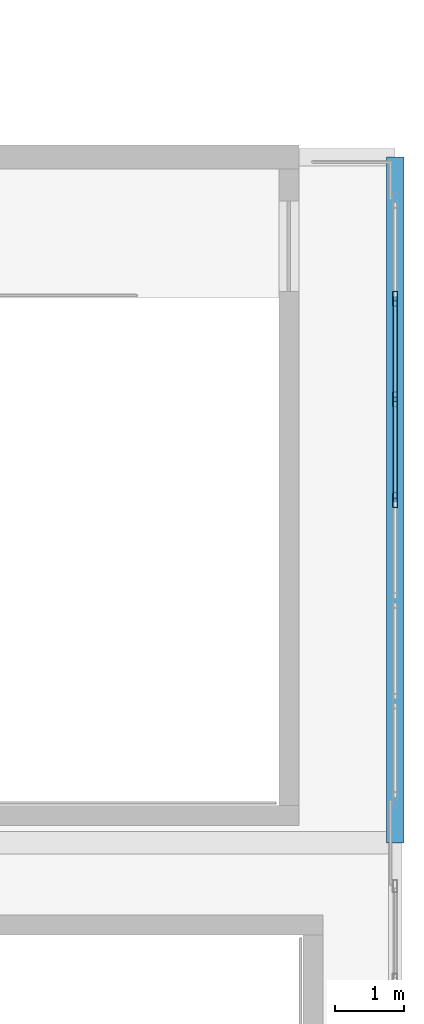
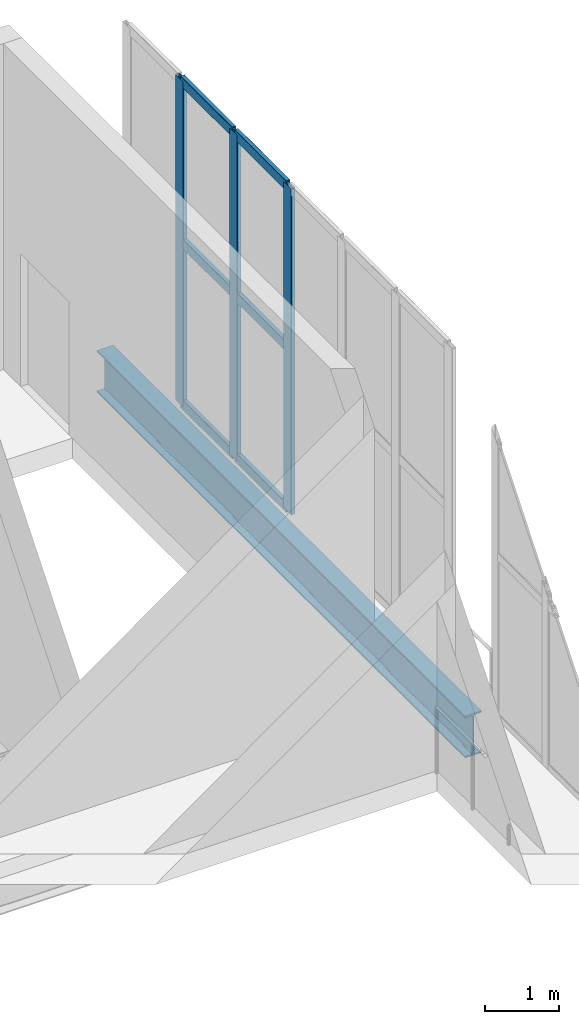
# One storey, part 41 of 74: 9 members, 1 beam, 1 element without a shape of its own.
"""IFC4 building model written with IfcOpenShell, lengths in metres."""

from ifc_helpers import new_model, si_unit, direction, frame, origin, origin_2d, place, context, subcontext, project, spatial, hollow_rectangle, i_section, extrude, material, layer, layer_set, material_profile, profile_set, type_object, element, aggregate, save


model = new_model("IFC4")

# Units and contexts
model_context = context("Model", 3, precision=1e-05, world=origin(), true_north=direction((0.0, 1.0)))
body_context = subcontext(model_context, "Body", "Model", "MODEL_VIEW")
ifc_project = project(units=[si_unit("LENGTHUNIT", "METRE"), si_unit("AREAUNIT", "SQUARE_METRE"), si_unit("VOLUMEUNIT", "CUBIC_METRE"), si_unit("PLANEANGLEUNIT", "RADIAN"), si_unit("MASSUNIT", "GRAM", prefix="KILO")], contexts=[model_context])

# Site, building, storey
site_placement = place(None, origin())
site = spatial("IfcSite", under=ifc_project, at=site_placement, CompositionType="ELEMENT")
building_placement = place(site_placement, origin())
building = spatial("IfcBuilding", under=site, at=building_placement, Name="Brinegate Civic Arena", CompositionType="ELEMENT")
storey_placement = place(building_placement, frame((0.0, 0.0, 19.199951171875)))
storey = spatial("IfcBuildingStorey", under=building, at=storey_placement, Name="L04", CompositionType="ELEMENT", Elevation=19.199951171875)

# Curtain wall, members
ifc_material_1 = material(Name="Marine grade aluminium", Category="aluminium")
ifc_layer = layer(ifc_material_1, 0.199951171875, Name="Marine grade aluminium")
ifc_layer_set = layer_set([ifc_layer], Name="Marine grade aluminium")
curtain_wall_type = type_object("IfcCurtainWallType", Name="CW-BOWL-GLAZED-01", PredefinedType="USERDEFINED", material=ifc_layer_set)
curtain_wall_placement = place(storey_placement, origin())
curtain_wall = element("IfcCurtainWall", 1, at=curtain_wall_placement, inside=storey, type_object=curtain_wall_type, Name="Curtain Wall CWA-143", ObjectType="GLAZED CURTAIN WALL", PredefinedType="USERDEFINED")
ifc_material_profile_1 = material_profile(ifc_material_1, hollow_rectangle(XDim=0.06494140625, YDim=0.219970703125, WallThickness=0.006103515625, InnerFilletRadius=0.00390625, OuterFilletRadius=0.008056640625, at=origin_2d()), Name="MUL65X220")
ifc_profile_set_1 = profile_set([ifc_material_profile_1], Name="Marine grade aluminium")
member_type_1 = type_object("IfcMemberType", Name="CW-MULLION-65X220", PredefinedType="MULLION", material=ifc_profile_set_1)
member_1_placement = place(storey_placement, frame((168.0, 109.0, 0.0), z_axis=(0.0, 0.0, 1.0), x_axis=(-1.0, 0.0, 0.0)))
member_1 = element("IfcMember", 2, at=member_1_placement, type_object=member_type_1, Name="CWA-143 mullion 4", PredefinedType="MULLION", context=body_context, shape_type="SweptSolid", body=[
    extrude(hollow_rectangle(XDim=0.06494140625, YDim=0.219970703125, WallThickness=0.006103515625, InnerFilletRadius=0.00390625, OuterFilletRadius=0.008056640625, at=origin_2d()), origin(), (0.0, 0.0, 1.0), 5.400146484375),
])
member_2_placement = place(storey_placement, frame((168.0, 110.466552734375, 0.0), z_axis=(0.0, 0.0, 1.0), x_axis=(-1.0, 0.0, 0.0)))
member_2 = element("IfcMember", 3, at=member_2_placement, type_object=member_type_1, Name="CWA-143 mullion 5", PredefinedType="MULLION", context=body_context, shape_type="SweptSolid", body=[
    extrude(hollow_rectangle(XDim=0.06494140625, YDim=0.219970703125, WallThickness=0.006103515625, InnerFilletRadius=0.00390625, OuterFilletRadius=0.008056640625, at=origin_2d()), origin(), (0.0, 0.0, 1.0), 5.400146484375),
])
member_3_placement = place(storey_placement, frame((168.0, 111.933349609375, 0.0), z_axis=(0.0, 0.0, 1.0), x_axis=(-1.0, 0.0, 0.0)))
member_3 = element("IfcMember", 4, at=member_3_placement, type_object=member_type_1, Name="CWA-143 mullion 6", PredefinedType="MULLION", context=body_context, shape_type="SweptSolid", body=[
    extrude(hollow_rectangle(XDim=0.06494140625, YDim=0.219970703125, WallThickness=0.006103515625, InnerFilletRadius=0.00390625, OuterFilletRadius=0.008056640625, at=origin_2d()), origin(), (0.0, 0.0, 1.0), 5.400146484375),
])
ifc_material_profile_2 = material_profile(ifc_material_1, hollow_rectangle(XDim=0.06494140625, YDim=0.1650390625, WallThickness=0.0048828125, InnerFilletRadius=0.00390625, OuterFilletRadius=0.008056640625, at=origin_2d()), Name="TRN65X165")
ifc_profile_set_2 = profile_set([ifc_material_profile_2], Name="Marine grade aluminium")
member_type_2 = type_object("IfcMemberType", Name="CW-TRANSOM-65X165", PredefinedType="USERDEFINED", material=ifc_profile_set_2)
member_4_placement = place(storey_placement, frame((168.0, 109.032470703125, 0.032470703125), z_axis=(0.0, 1.0, 0.0), x_axis=(-1.0, 0.0, 0.0)))
member_4 = element("IfcMember", 5, at=member_4_placement, type_object=member_type_2, Name="CWA-143 transom 4.1", ObjectType="TRANSOM", PredefinedType="USERDEFINED", context=body_context, shape_type="SweptSolid", body=[
    extrude(hollow_rectangle(XDim=0.06494140625, YDim=0.1650390625, WallThickness=0.0048828125, InnerFilletRadius=0.00390625, OuterFilletRadius=0.008056640625, at=origin_2d()), origin(), (0.0, 0.0, 1.0), 1.401611328125),
])
member_5_placement = place(storey_placement, frame((168.0, 109.032470703125, 2.699951171875), z_axis=(0.0, 1.0, 0.0), x_axis=(-1.0, 0.0, 0.0)))
member_5 = element("IfcMember", 6, at=member_5_placement, type_object=member_type_2, Name="CWA-143 transom 4.2", ObjectType="TRANSOM", PredefinedType="USERDEFINED", context=body_context, shape_type="SweptSolid", body=[
    extrude(hollow_rectangle(XDim=0.06494140625, YDim=0.1650390625, WallThickness=0.0048828125, InnerFilletRadius=0.00390625, OuterFilletRadius=0.008056640625, at=origin_2d()), origin(), (0.0, 0.0, 1.0), 1.401611328125),
])
member_6_placement = place(storey_placement, frame((168.0, 109.032470703125, 5.367431640625), z_axis=(0.0, 1.0, 0.0), x_axis=(-1.0, 0.0, 0.0)))
member_6 = element("IfcMember", 7, at=member_6_placement, type_object=member_type_2, Name="CWA-143 transom 4.3", ObjectType="TRANSOM", PredefinedType="USERDEFINED", context=body_context, shape_type="SweptSolid", body=[
    extrude(hollow_rectangle(XDim=0.06494140625, YDim=0.1650390625, WallThickness=0.0048828125, InnerFilletRadius=0.00390625, OuterFilletRadius=0.008056640625, at=origin_2d()), origin(), (0.0, 0.0, 1.0), 1.401611328125),
])
member_7_placement = place(storey_placement, frame((168.0, 110.499267578125, 0.032470703125), z_axis=(0.0, 1.0, 0.0), x_axis=(-1.0, 0.0, 0.0)))
member_7 = element("IfcMember", 8, at=member_7_placement, type_object=member_type_2, Name="CWA-143 transom 5.1", ObjectType="TRANSOM", PredefinedType="USERDEFINED", context=body_context, shape_type="SweptSolid", body=[
    extrude(hollow_rectangle(XDim=0.06494140625, YDim=0.1650390625, WallThickness=0.0048828125, InnerFilletRadius=0.00390625, OuterFilletRadius=0.008056640625, at=origin_2d()), origin(), (0.0, 0.0, 1.0), 1.401611328125),
])
member_8_placement = place(storey_placement, frame((168.0, 110.499267578125, 2.699951171875), z_axis=(0.0, 1.0, 0.0), x_axis=(-1.0, 0.0, 0.0)))
member_8 = element("IfcMember", 9, at=member_8_placement, type_object=member_type_2, Name="CWA-143 transom 5.2", ObjectType="TRANSOM", PredefinedType="USERDEFINED", context=body_context, shape_type="SweptSolid", body=[
    extrude(hollow_rectangle(XDim=0.06494140625, YDim=0.1650390625, WallThickness=0.0048828125, InnerFilletRadius=0.00390625, OuterFilletRadius=0.008056640625, at=origin_2d()), origin(), (0.0, 0.0, 1.0), 1.401611328125),
])
member_9_placement = place(storey_placement, frame((168.0, 110.499267578125, 5.367431640625), z_axis=(0.0, 1.0, 0.0), x_axis=(-1.0, 0.0, 0.0)))
member_9 = element("IfcMember", 10, at=member_9_placement, type_object=member_type_2, Name="CWA-143 transom 5.3", ObjectType="TRANSOM", PredefinedType="USERDEFINED", context=body_context, shape_type="SweptSolid", body=[
    extrude(hollow_rectangle(XDim=0.06494140625, YDim=0.1650390625, WallThickness=0.0048828125, InnerFilletRadius=0.00390625, OuterFilletRadius=0.008056640625, at=origin_2d()), origin(), (0.0, 0.0, 1.0), 1.401611328125),
])
aggregate(curtain_wall, [member_1, member_2, member_3, member_4, member_5, member_6, member_7, member_8, member_9])

# Beam
ifc_material_2 = material(Name="Steel S355", Category="steel")
ifc_material_profile_3 = material_profile(ifc_material_2, i_section(OverallWidth=0.256103515625, OverallDepth=0.693115234375, WebThickness=0.014892578125, FlangeThickness=0.02392578125, FilletRadius=0.01806640625, at=origin_2d()), Name="W690X170")
ifc_profile_set_3 = profile_set([ifc_material_profile_3], Name="Steel S355")
beam_type = type_object("IfcBeamType", Name="SPANDREL-W690X170", PredefinedType="SPANDREL", material=ifc_profile_set_3)
beam_placement = place(storey_placement, frame((168.0, 104.0, -0.68603515625), z_axis=(0.0, 1.0, 0.0), x_axis=(-1.0, 0.0, 0.0)))
element("IfcBeam", 11, at=beam_placement, inside=storey, type_object=beam_type, Name="Floor Girder BM-L04-GY-14-10", PredefinedType="SPANDREL", context=body_context, shape_type="SweptSolid", body=[
    extrude(i_section(OverallWidth=0.256103515625, OverallDepth=0.693115234375, WebThickness=0.014892578125, FlangeThickness=0.02392578125, FilletRadius=0.01806640625, at=origin_2d()), origin(), (0.0, 0.0, 1.0), 10.0),
])

save(model, "model.ifc")
